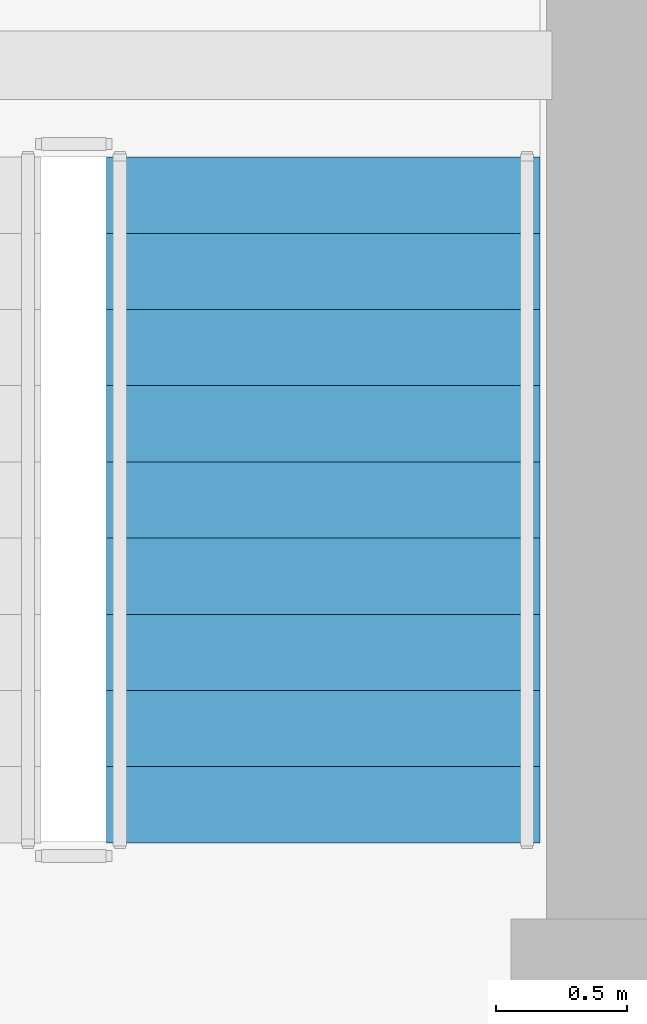
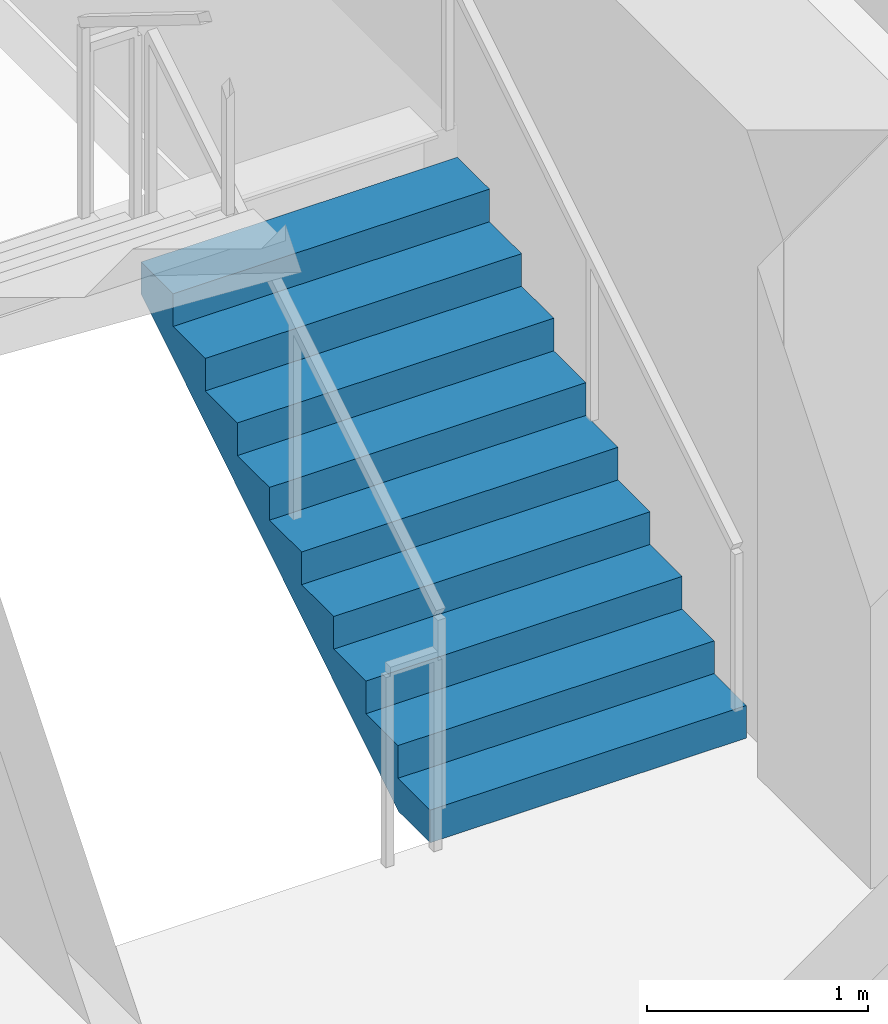
# One storey, part 10 of 12: 1 stair flight, 1 element without a shape of its own.
"""IFC4 building model written with IfcOpenShell, lengths in metres."""

from ifc_helpers import new_model, si_unit, derived_unit, direction, frame, origin, place, context, subcontext, project, spatial, polyline, outline, extrude, material, type_object, element, aggregate, save


model = new_model("IFC4")

# Units and contexts
model_context = context("Model", 3, precision=1e-05, world=origin(), true_north=direction((0.0, 1.0)))
body_context = subcontext(model_context, "Body", "Model", "MODEL_VIEW")
ifc_project = project(units=[si_unit("LENGTHUNIT", "METRE"), si_unit("AREAUNIT", "SQUARE_METRE"), si_unit("VOLUMEUNIT", "CUBIC_METRE"), si_unit("PLANEANGLEUNIT", "RADIAN"), si_unit("MASSUNIT", "GRAM", prefix="KILO"), derived_unit("THERMALTRANSMITTANCEUNIT", [(si_unit("POWERUNIT", "WATT"), 1), (si_unit("LENGTHUNIT", "METRE"), -2), (si_unit("THERMODYNAMICTEMPERATUREUNIT", "KELVIN"), -1)])], contexts=[model_context])

# Site, building, storey
site_placement = place(None, origin())
site = spatial("IfcSite", under=ifc_project, at=site_placement, CompositionType="ELEMENT")
building_placement = place(site_placement, origin())
building = spatial("IfcBuilding", under=site, at=building_placement, Name="Koralith Skygarden Medical Center", CompositionType="ELEMENT")
storey_placement = place(building_placement, frame((0.0, 0.0, 163.6201171875)))
storey = spatial("IfcBuildingStorey", under=building, at=storey_placement, Name="L42", CompositionType="ELEMENT", Elevation=163.6201171875)

# Stair, stair flight
ifc_material = material(Name="Concrete C45/55", Category="concrete")
stair_type = type_object("IfcStairType", Name="Core Exit Dogleg Concrete Stair", PredefinedType="HALF_TURN_STAIR", material=ifc_material)
stair_placement = place(storey_placement, origin())
stair = element("IfcStair", 1, at=stair_placement, inside=storey, type_object=stair_type, Name="L42 Smokeproof Exit Stair ST2", PredefinedType="HALF_TURN_STAIR")
stair_flight_type = type_object("IfcStairFlightType", Name="Core Exit Concrete Stair Flight 1650", PredefinedType="STRAIGHT", material=ifc_material)
stair_flight_placement = place(storey_placement, frame((46.97509765625, 26.699951171875, 0.0), z_axis=(0.0, 0.0, 1.0), x_axis=(0.0, 1.0, 0.0)))
stair_flight = element("IfcStairFlight", 2, at=stair_flight_placement, type_object=stair_flight_type, Name="ST2 flight 1", NumberOfRisers=10, NumberOfTreads=9, PredefinedType="STRAIGHT", RiserHeight=0.18, TreadLength=0.29, context=body_context, shape_type="SweptSolid", body=[
    extrude(outline(polyline([(0.0, 0.0), (0.0, 0.179931640625), (0.2900390625, 0.179931640625), (0.2900390625, 0.360107421875), (0.580078125, 0.360107421875), (0.580078125, 0.5400390625), (0.8701171875, 0.5400390625), (0.8701171875, 0.719970703125), (1.159912109375, 0.719970703125), (1.159912109375, 0.89990234375), (1.449951171875, 0.89990234375), (1.449951171875, 1.080078125), (1.739990234375, 1.080078125), (1.739990234375, 1.260009765625), (2.030029296875, 1.260009765625), (2.030029296875, 1.43994140625), (2.320068359375, 1.43994140625), (2.320068359375, 1.6201171875), (2.610107421875, 1.6201171875), (2.610107421875, 1.800048828125), (2.610107421875, 1.443603515625), (0.2841796875, 0.0), (0.0, 0.0)])), frame((0.0, 0.824951171875, 0.0), z_axis=(0.0, -1.0, 0.0), x_axis=(1.0, 0.0, 0.0)), (0.0, 0.0, 1.0), 1.64990234375),
])
aggregate(stair, [stair_flight])

save(model, "model.ifc")
